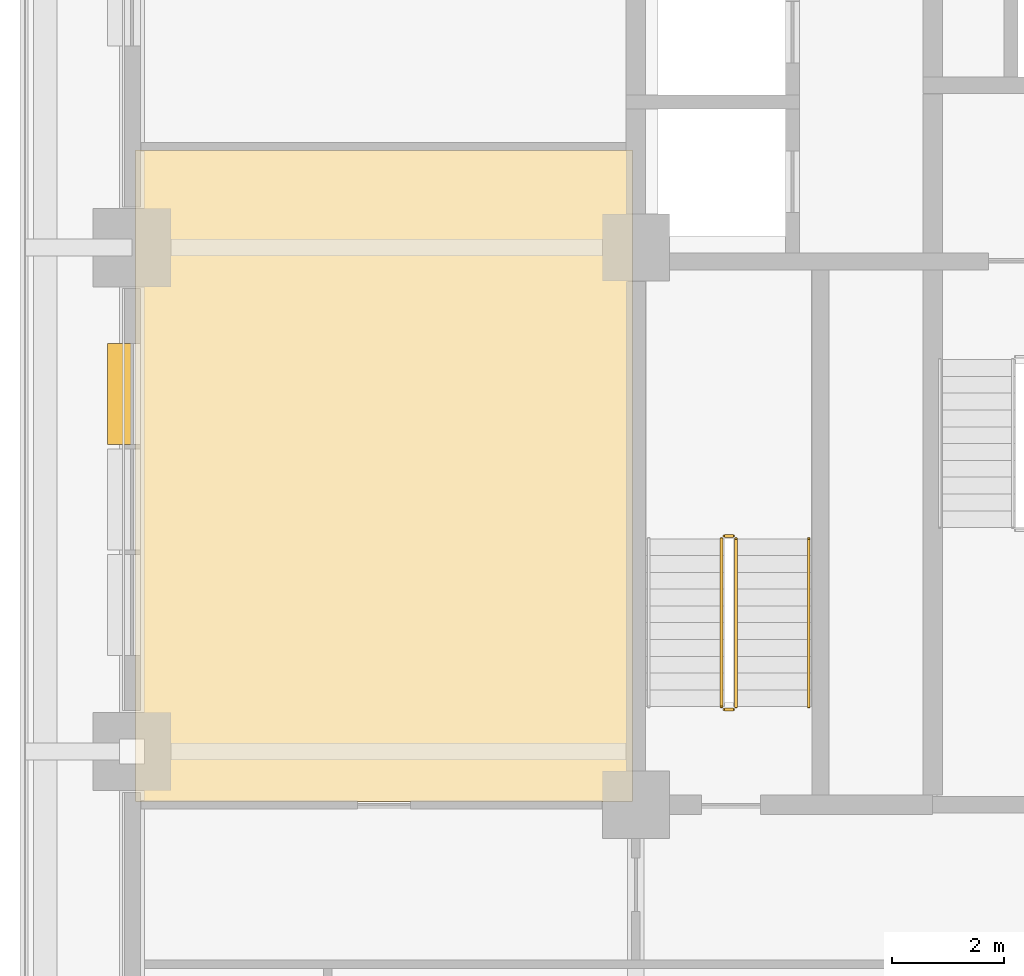
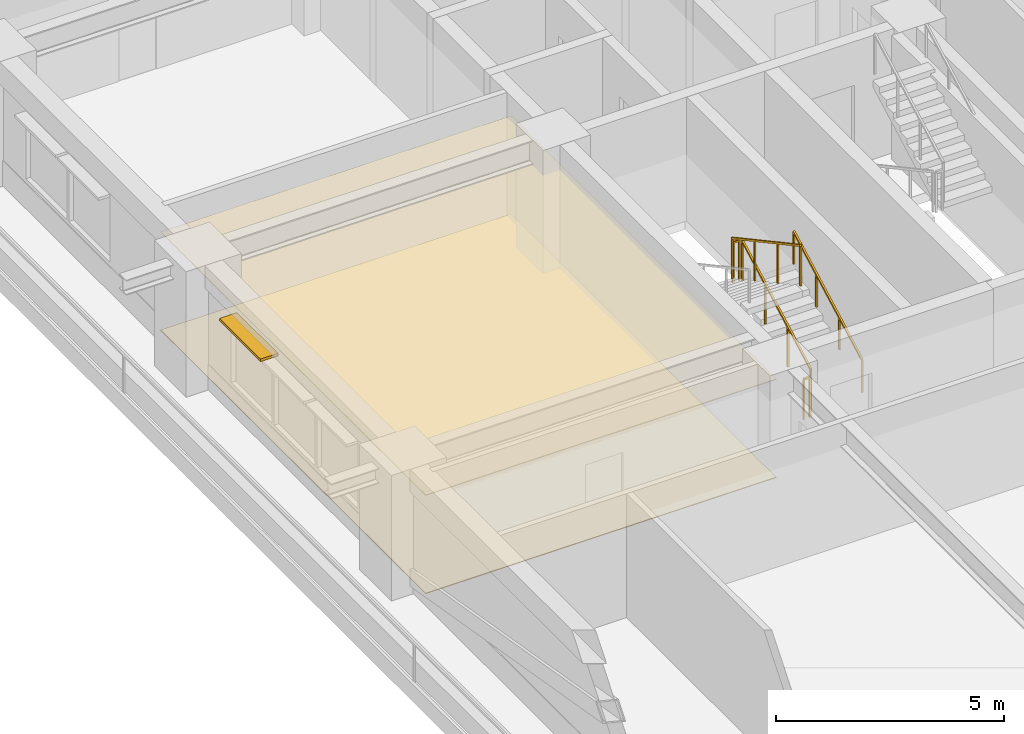
# One storey, part 8 of 14: 5 railings, 2 coverings, 1 shading device.
"""IFC4 building model written with IfcOpenShell, lengths in metres."""

from ifc_helpers import new_model, si_unit, direction, frame, frame_2d, origin, origin_2d, place, context, subcontext, project, spatial, polyline, rectangle, outline, extrude, material, layer, layer_set, type_object, element, save


model = new_model("IFC4")

# Units and contexts
model_context = context("Model", 3, precision=1e-05, world=origin(), true_north=direction((0.0, 1.0)))
body_context = subcontext(model_context, "Body", "Model", "MODEL_VIEW")
ifc_project = project(units=[si_unit("LENGTHUNIT", "METRE"), si_unit("AREAUNIT", "SQUARE_METRE"), si_unit("VOLUMEUNIT", "CUBIC_METRE"), si_unit("PLANEANGLEUNIT", "RADIAN"), si_unit("MASSUNIT", "GRAM", prefix="KILO")], contexts=[model_context])

# Site, building, storey
site_placement = place(None, origin())
site = spatial("IfcSite", under=ifc_project, at=site_placement, CompositionType="ELEMENT")
building_placement = place(site_placement, origin())
building = spatial("IfcBuilding", under=site, at=building_placement, Name="Zulmaris Gate Convention Tower", CompositionType="ELEMENT")
storey_placement = place(building_placement, frame((0.0, 0.0, 64.329833984375)))
storey = spatial("IfcBuildingStorey", under=building, at=storey_placement, Name="L15", CompositionType="ELEMENT", Elevation=64.329833984375)

# Coverings
ifc_material_1 = material(Name="Mineral Fibre Acoustic Ceiling Tile")
ifc_layer_1 = layer(ifc_material_1, 0.02001953125, Name="Mineral Fibre Acoustic Ceiling Tile")
ifc_layer_set_1 = layer_set([ifc_layer_1], Name="Mineral Fibre Acoustic Ceiling Tile")
covering_type_1 = type_object("IfcCoveringType", Name="CLG-ACOUSTIC-600", PredefinedType="CEILING", material=ifc_layer_set_1)
covering_1_placement = place(storey_placement, frame((0.0, 0.0, 2.628173828125)))
element("IfcCovering", 1, at=covering_1_placement, inside=storey, type_object=covering_type_1, Name="CLG-L15-R48", PredefinedType="CEILING", context=body_context, shape_type="SweptSolid", body=[
    extrude(outline(polyline([(-28.93994140625, -9.889892578125), (-20.06005859375, -9.889892578125), (-20.06005859375, 1.739990234375), (-28.93994140625, 1.739990234375), (-28.93994140625, -9.889892578125)])), origin(), (0.0, 0.0, 1.0), 0.019775390625),
])
ifc_material_2 = material(Name="Woven Acoustic Wool Carpet Tile")
ifc_layer_2 = layer(ifc_material_2, 0.02001953125, Name="Woven Acoustic Wool Carpet Tile")
ifc_layer_set_2 = layer_set([ifc_layer_2], Name="Woven Acoustic Wool Carpet Tile")
covering_type_2 = type_object("IfcCoveringType", Name="FLR-CARPET-12", PredefinedType="FLOORING", material=ifc_layer_set_2)
covering_2_placement = place(storey_placement, origin())
element("IfcCovering", 2, at=covering_2_placement, inside=storey, type_object=covering_type_2, Name="FLR-L15-R48", PredefinedType="FLOORING", context=body_context, shape_type="SweptSolid", body=[
    extrude(outline(polyline([(-28.93994140625, -9.889892578125), (-20.06005859375, -9.889892578125), (-20.06005859375, 1.739990234375), (-28.93994140625, 1.739990234375), (-28.93994140625, -9.889892578125)])), origin(), (0.0, 0.0, 1.0), 0.02001953125),
])

# Railings
ifc_material_3 = material(Name="Painted Galvanised Steel", Category="steel")
railing_type_1 = type_object("IfcRailingType", Name="RL-STG-1150", PredefinedType="GUARDRAIL", material=ifc_material_3)
railing_1_placement = place(storey_placement, frame((-18.2099609375, -8.199951171875, 0.162353515625)))
element("IfcRailing", 3, at=railing_1_placement, inside=storey, type_object=railing_type_1, Name="L15 ST-3 stair guard 1", PredefinedType="GUARDRAIL", context=body_context, shape_type="SweptSolid", body=[
    extrude(rectangle(XDim=0.048095703125, YDim=0.048095703125, at=origin_2d()), frame((0.0, 0.0, 1.076171875), z_axis=(0.0, 0.879591569277, 0.475729619907), x_axis=(-1.0, 0.0, 0.0)), (0.0, 0.0, 1.0), 3.41064453125),
    extrude(rectangle(XDim=0.0419921875, YDim=0.0419921875, at=origin_2d()), origin(), (0.0, 0.0, 1.0), 1.052001953125),
    extrude(rectangle(XDim=0.0419921875, YDim=0.0419921875, at=origin_2d()), frame((0.0, 1.0, 0.540771484375)), (0.0, 0.0, 1.0), 1.052001953125),
    extrude(rectangle(XDim=0.0419921875, YDim=0.0419921875, at=origin_2d()), frame((0.0, 2.0, 1.081787109375)), (0.0, 0.0, 1.0), 1.052001953125),
    extrude(rectangle(XDim=0.0419921875, YDim=0.0419921875, at=origin_2d()), frame((0.0, 3.0, 1.62255859375)), (0.0, 0.0, 1.0), 1.052001953125),
])
railing_2_placement = place(storey_placement, frame((-18.260009765625, -5.14990234375, 1.784912109375)))
element("IfcRailing", 4, at=railing_2_placement, inside=storey, type_object=railing_type_1, Name="L15 ST-3 stair guard 2", PredefinedType="GUARDRAIL", context=body_context, shape_type="SweptSolid", body=[
    extrude(rectangle(XDim=0.048095703125, YDim=0.048095703125, at=origin_2d()), frame((0.0, 0.0, 1.076171875), z_axis=(-1.0, 0.0, 0.0), x_axis=(0.0, -1.0, 0.0)), (0.0, 0.0, 1.0), 0.159912109375),
    extrude(rectangle(XDim=0.0419921875, YDim=0.0419921875, at=origin_2d()), origin(), (0.0, 0.0, 1.0), 1.052001953125),
    extrude(rectangle(XDim=0.0419921875, YDim=0.0419921875, at=origin_2d()), frame((-0.159912109375, 0.0, 0.0)), (0.0, 0.0, 1.0), 1.052001953125),
])
railing_3_placement = place(storey_placement, frame((-18.469970703125, -5.199951171875, 1.947265625)))
element("IfcRailing", 5, at=railing_3_placement, inside=storey, type_object=railing_type_1, Name="L15 ST-3 stair guard 3", PredefinedType="GUARDRAIL", context=body_context, shape_type="SweptSolid", body=[
    extrude(rectangle(XDim=0.048095703125, YDim=0.048095703125, at=origin_2d()), frame((0.0, 0.0, 1.076171875), z_axis=(0.0, -0.8795616155, 0.475784998228), x_axis=(1.0, 0.0, 0.0)), (0.0, 0.0, 1.0), 3.410888671875),
    extrude(rectangle(XDim=0.0419921875, YDim=0.0419921875, at=origin_2d()), origin(), (0.0, 0.0, 1.0), 1.052001953125),
    extrude(rectangle(XDim=0.0419921875, YDim=0.0419921875, at=origin_2d()), frame((0.0, -1.0, 0.541015625)), (0.0, 0.0, 1.0), 1.052001953125),
    extrude(rectangle(XDim=0.0419921875, YDim=0.0419921875, at=origin_2d()), frame((0.0, -2.0, 1.081787109375)), (0.0, 0.0, 1.0), 1.052001953125),
    extrude(rectangle(XDim=0.0419921875, YDim=0.0419921875, at=origin_2d()), frame((0.0, -3.0, 1.622802734375)), (0.0, 0.0, 1.0), 1.052001953125),
])
railing_4_placement = place(storey_placement, frame((-18.260009765625, -8.25, 0.0)))
element("IfcRailing", 6, at=railing_4_placement, inside=storey, type_object=railing_type_1, Name="L15 ST-3 stair guard 4", PredefinedType="GUARDRAIL", context=body_context, shape_type="SweptSolid", body=[
    extrude(rectangle(XDim=0.048095703125, YDim=0.048095703125, at=origin_2d()), frame((0.0, 0.0, 1.076171875), z_axis=(-1.0, 0.0, 0.0), x_axis=(0.0, -1.0, 0.0)), (0.0, 0.0, 1.0), 0.159912109375),
    extrude(rectangle(XDim=0.0419921875, YDim=0.0419921875, at=origin_2d()), origin(), (0.0, 0.0, 1.0), 1.052001953125),
    extrude(rectangle(XDim=0.0419921875, YDim=0.0419921875, at=origin_2d()), frame((-0.159912109375, 0.0, 0.0)), (0.0, 0.0, 1.0), 1.052001953125),
])
ifc_material_4 = material(Name="Brushed Stainless Steel", Category="steel")
railing_type_2 = type_object("IfcRailingType", Name="RL-STH-900", PredefinedType="HANDRAIL", material=ifc_material_4)
railing_5_placement = place(storey_placement, frame((-16.909912109375, -8.199951171875, 0.162353515625)))
element("IfcRailing", 7, at=railing_5_placement, inside=storey, type_object=railing_type_2, Name="L15 ST-3 stair handrail 1", PredefinedType="HANDRAIL", context=body_context, shape_type="SweptSolid", body=[
    extrude(rectangle(XDim=0.048095703125, YDim=0.048095703125, at=origin_2d()), frame((0.0, 0.0, 0.8759765625), z_axis=(0.0, 0.879591569277, 0.475729619907), x_axis=(-1.0, 0.0, 0.0)), (0.0, 0.0, 1.0), 3.41064453125),
    extrude(rectangle(XDim=0.0419921875, YDim=0.0419921875, at=origin_2d()), origin(), (0.0, 0.0, 1.0), 0.851806640625),
    extrude(rectangle(XDim=0.0419921875, YDim=0.0419921875, at=origin_2d()), frame((0.0, 1.0, 0.540771484375)), (0.0, 0.0, 1.0), 0.851806640625),
    extrude(rectangle(XDim=0.0419921875, YDim=0.0419921875, at=origin_2d()), frame((0.0, 2.0, 1.081787109375)), (0.0, 0.0, 1.0), 0.851806640625),
    extrude(rectangle(XDim=0.0419921875, YDim=0.0419921875, at=origin_2d()), frame((0.0, 3.0, 1.62255859375)), (0.0, 0.0, 1.0), 0.851806640625),
])

# Shading device
ifc_material_5 = material(Name="Glazed Ceramic Terracotta", Category="masonry")
ifc_layer_3 = layer(ifc_material_5, 0.070068359375, Name="Glazed Ceramic Terracotta")
ifc_layer_set_3 = layer_set([ifc_layer_3], Name="Glazed Ceramic Terracotta")
shading_device_type = type_object("IfcShadingDeviceType", Name="SHD-SUNSHADE-TC", PredefinedType="AWNING", material=ifc_layer_set_3)
shading_device_placement = place(storey_placement, frame((-29.219970703125, -1.715087890625, 2.530029296875), z_axis=(0.0, 0.0, 1.0), x_axis=(0.0, -1.0, 0.0)))
element("IfcShadingDevice", 8, at=shading_device_placement, inside=storey, type_object=shading_device_type, Name="SHD-EW-L15-W-1_0-1", PredefinedType="AWNING", context=body_context, shape_type="SweptSolid", body=[
    extrude(rectangle(XDim=1.7998046875, YDim=0.43994140625, at=frame_2d((0.89990234375, 0.0))), origin(), (0.0, 0.0, 1.0), 0.06982421875),
])

save(model, "model.ifc")
